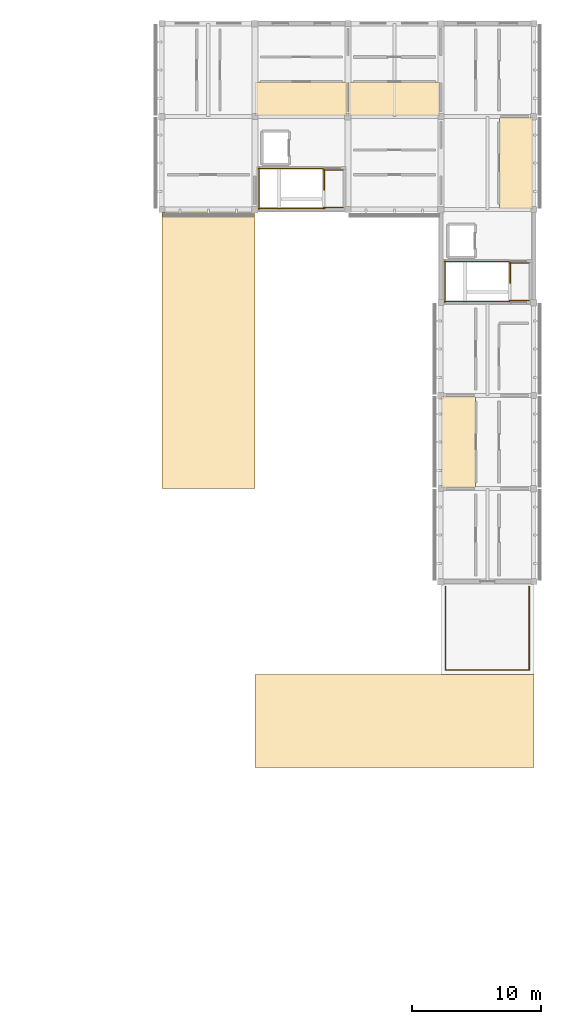
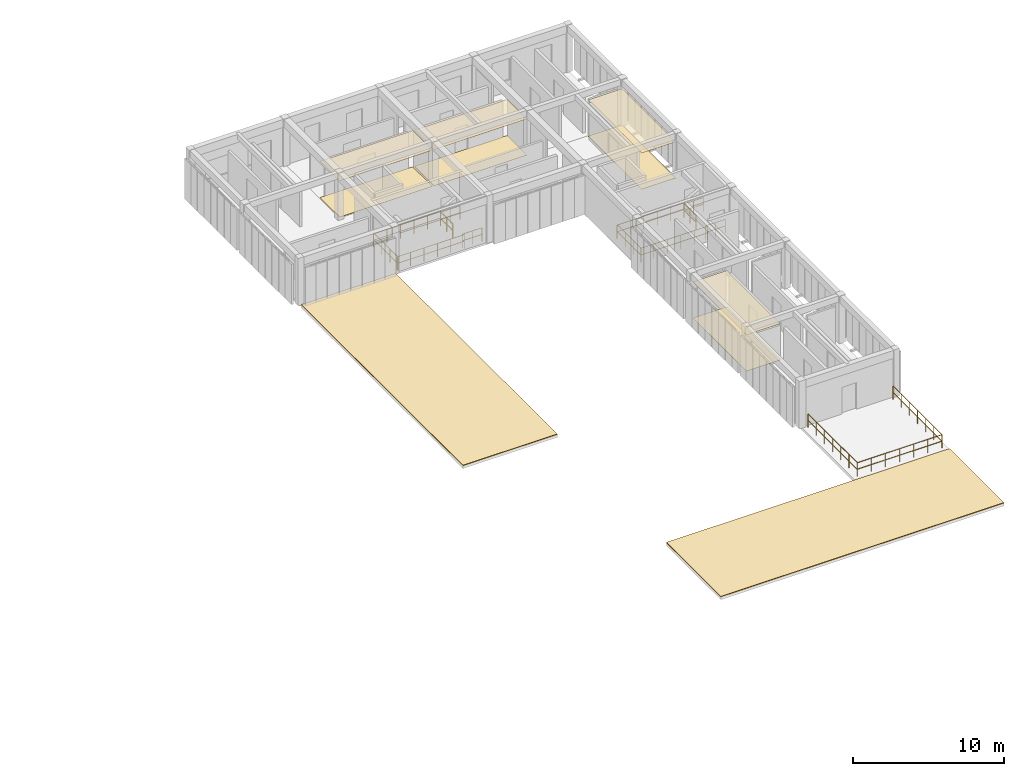
# One storey, part 33 of 33: 15 railings, 10 coverings.
"""IFC4 building model written with IfcOpenShell, lengths in metres."""

import ifcopenshell
import ifcopenshell.guid

model = None  # the IFC model being written
_history = None  # IfcOwnerHistory: only IFC2X3 demands one
_inside = {}  # id of a spatial element -> (the spatial element, [elements in it])
_under = {}  # id of a project, library or spatial element -> (it, [spatial elements below it])
_declared = {}  # id of a project -> (the project, [libraries it declares])
_typed = {}  # id of a type object -> (the type object, [elements of that type])
_made_of = {}  # id of a material, layer set ... -> (it, [elements and type objects made of it])


def new_model(schema):
    """Start an empty IFC model of exactly this schema.

    Asked for "IFC4X3", IfcOpenShell would pick the latest addendum, in which some entities
    have other attributes; the version numbers below select the first issue.
    IFC2X3 requires an IfcOwnerHistory on every rooted entity: one is made here for all.
    """
    global model, _history
    if schema == "IFC4X3":
        model = ifcopenshell.file(schema_version=(4, 3, 0, 0))
    else:
        model = ifcopenshell.file(schema=schema)
    _inside.clear()
    _under.clear()
    _declared.clear()
    _typed.clear()
    _made_of.clear()
    _history = None
    if model.schema == "IFC2X3":
        org = make("IfcOrganization", Name="unknown")
        user = make(
            "IfcPersonAndOrganization",
            ThePerson=make("IfcPerson", FamilyName="unknown"),
            TheOrganization=org,
        )
        app = make(
            "IfcApplication",
            ApplicationDeveloper=org,
            Version="unknown",
            ApplicationFullName="unknown",
            ApplicationIdentifier="unknown",
        )
        _history = make(
            "IfcOwnerHistory",
            OwningUser=user,
            OwningApplication=app,
            ChangeAction="ADDED",
            CreationDate=0,
        )
    return model


def make(cls, **values):
    """One entity of the class cls with the attributes given. An attribute that is None is left unset."""
    return model.create_entity(
        cls, **{name: value for name, value in values.items() if value is not None}
    )


def rooted(cls, **values):
    """An entity with a GlobalId (a new one), such as an element, a storey or a relation."""
    return make(cls, GlobalId=ifcopenshell.guid.new(), OwnerHistory=_history, **values)


def si_unit(unit_type, name, prefix=None):
    """IfcSIUnit, for example si_unit("LENGTHUNIT", "METRE", prefix="MILLI")."""
    return make("IfcSIUnit", UnitType=unit_type, Prefix=prefix, Name=name)


def assignment(units):
    """IfcUnitAssignment: the units of a project."""
    return None if units is None else make("IfcUnitAssignment", Units=units)


def point(xyz):
    """IfcCartesianPoint."""
    return None if xyz is None else make("IfcCartesianPoint", Coordinates=xyz)


def direction(xyz):
    """IfcDirection."""
    return None if xyz is None else make("IfcDirection", DirectionRatios=xyz)


def frame(location, z_axis=None, x_axis=None):
    """IfcAxis2Placement3D, a coordinate frame: its origin and axes. An axis left out is left unset."""
    return make(
        "IfcAxis2Placement3D",
        Location=point(location),
        Axis=direction(z_axis),
        RefDirection=direction(x_axis),
    )


def frame_2d(location, x_axis=None):
    """IfcAxis2Placement2D, a coordinate frame in the plane: its origin and x axis."""
    return make(
        "IfcAxis2Placement2D", Location=point(location), RefDirection=direction(x_axis)
    )


def origin():
    """The frame at (0, 0, 0) with its axes left unset."""
    return frame((0.0, 0.0, 0.0))


def origin_2d():
    """The frame at (0, 0) in the plane with its x axis left unset."""
    return frame_2d((0.0, 0.0))


def place(relative_to, where):
    """IfcLocalPlacement: puts the frame where relative to a parent placement (None: the world)."""
    return make(
        "IfcLocalPlacement", PlacementRelTo=relative_to, RelativePlacement=where
    )


def context(
    kind, dimensions, precision=None, world=None, true_north=None, identifier=None
):
    """IfcGeometricRepresentationContext, for example the 3D "Model" context."""
    return make(
        "IfcGeometricRepresentationContext",
        ContextIdentifier=identifier,
        ContextType=kind,
        CoordinateSpaceDimension=dimensions,
        Precision=precision,
        WorldCoordinateSystem=world,
        TrueNorth=true_north,
    )


def subcontext(parent, identifier, kind, view, scale=None):
    """IfcGeometricRepresentationSubContext, for example "Body" below "Model"."""
    return make(
        "IfcGeometricRepresentationSubContext",
        ContextIdentifier=identifier,
        ContextType=kind,
        ParentContext=parent,
        TargetScale=scale,
        TargetView=view,
    )


def project(units=None, contexts=None):
    """IfcProject with its units and contexts."""
    return rooted(
        "IfcProject",
        Name="project",
        RepresentationContexts=contexts,
        UnitsInContext=assignment(units),
    )


def spatial(cls, under=None, at=None, **own):
    """A site, building, storey or space (cls), placed at a placement, below another one or the project."""
    s = rooted(cls, ObjectPlacement=at, **own)
    if under is not None:
        _under.setdefault(under.id(), (under, []))[1].append(s)
    return s


def polyline(points):
    """IfcPolyline through the points."""
    return make("IfcPolyline", Points=[point(p) for p in points])


def profile(cls, at=None, kind="AREA", **sizes):
    """A parametric profile (cls). Its sizes go by their IFC names, for example OverallWidth=200.0."""
    return make(cls, ProfileType=kind, Position=at, **sizes)


def circle(**sizes):
    """IfcCircleProfileDef."""
    return profile("IfcCircleProfileDef", **sizes)


def outline(outer, holes=None, kind="AREA"):
    """IfcArbitraryClosedProfileDef: a profile drawn as a closed curve; with holes, ...WithVoids."""
    if holes is None:
        return make("IfcArbitraryClosedProfileDef", ProfileType=kind, OuterCurve=outer)
    return make(
        "IfcArbitraryProfileDefWithVoids",
        ProfileType=kind,
        OuterCurve=outer,
        InnerCurves=holes,
    )


def extrude(swept, where, along, depth):
    """IfcExtrudedAreaSolid: the profile swept, set in the frame where, extruded along a direction by depth."""
    return make(
        "IfcExtrudedAreaSolid",
        SweptArea=swept,
        Position=where,
        ExtrudedDirection=direction(along),
        Depth=depth,
    )


def shape(context_of_items, identifier, shape_type, items):
    """IfcShapeRepresentation: the items that make up one representation, for example the "Body"."""
    return make(
        "IfcShapeRepresentation",
        ContextOfItems=context_of_items,
        RepresentationIdentifier=identifier,
        RepresentationType=shape_type,
        Items=items,
    )


def material(Name=None, Category=None):
    """IfcMaterial."""
    return make("IfcMaterial", Name=Name, Category=Category)


def layer(
    of_material, thickness, ventilated=None, Name=None, Category=None, Priority=None
):
    """IfcMaterialLayer: one layer of a wall or slab, of a material (None: an air gap)."""
    return make(
        "IfcMaterialLayer",
        Material=of_material,
        LayerThickness=thickness,
        IsVentilated=ventilated,
        Name=Name,
        Category=Category,
        Priority=Priority,
    )


def layer_set(layers, Name=None):
    """IfcMaterialLayerSet."""
    return make("IfcMaterialLayerSet", MaterialLayers=layers, LayerSetName=Name)


def made_of(thing, what):
    """Note that an element or type object is made of a material, layer set ...; save() writes the relation."""
    if what is not None:
        _made_of.setdefault(what.id(), (what, []))[1].append(thing)
    return thing


def type_object(cls, material=None, **own):
    """A type object (cls), such as IfcWallType, which elements share."""
    return made_of(rooted(cls, **own), material)


def element(
    cls,
    number,
    at=None,
    inside=None,
    cuts=None,
    type_object=None,
    material=None,
    context=None,
    identifier="Body",
    shape_type=None,
    held_by="IfcProductDefinitionShape",
    body=None,
    shapes=None,
    **own,
):
    """One element of the class cls, such as IfcWall. Its Tag is "e" and its number.

    at: its placement. inside: the storey or other place that contains it. cuts: it is an
    opening in that element (IfcRelVoidsElement). A single representation is given by context,
    identifier, shape_type and body (its items); several are given by shapes. held_by: the class
    of the entity that holds the representations. save() writes the other relations.
    """
    e = rooted(cls, Tag="e%d" % number, ObjectPlacement=at, **own)
    if body is not None:
        shapes = [shape(context, identifier, shape_type, body)]
    if shapes is not None:
        e.Representation = make(held_by, Representations=shapes)
    if inside is not None:
        _inside.setdefault(inside.id(), (inside, []))[1].append(e)
    if cuts is not None:
        rooted(
            "IfcRelVoidsElement", RelatingBuildingElement=cuts, RelatedOpeningElement=e
        )
    if type_object is not None:
        _typed.setdefault(type_object.id(), (type_object, []))[1].append(e)
    return made_of(e, material)


def aggregate(whole, parts):
    """IfcRelAggregates: a whole, such as a stair, and the parts it consists of."""
    return rooted("IfcRelAggregates", RelatingObject=whole, RelatedObjects=parts)


def save(model, path):
    """Write the relations noted so far, then the file.

    IfcRelAggregates (storeys below a building ...), IfcRelContainedInSpatialStructure (elements
    in a storey), IfcRelDefinesByType, IfcRelAssociatesMaterial and IfcRelDeclares: one each for
    every whole, place, type object, material and project.
    """
    for whole, parts in _under.values():
        aggregate(whole, parts)
    for where, things in _inside.values():
        rooted(
            "IfcRelContainedInSpatialStructure",
            RelatedElements=things,
            RelatingStructure=where,
        )
    for kind, things in _typed.values():
        rooted("IfcRelDefinesByType", RelatedObjects=things, RelatingType=kind)
    for what, things in _made_of.values():
        rooted("IfcRelAssociatesMaterial", RelatedObjects=things, RelatingMaterial=what)
    for by, libraries in _declared.values():
        rooted("IfcRelDeclares", RelatingContext=by, RelatedDefinitions=libraries)
    model.write(path)


model = new_model("IFC4")

# Units and contexts
model_context = context("Model", 3, precision=1e-05, world=origin(), true_north=direction((0.0, 1.0)))
body_context = subcontext(model_context, "Body", "Model", "MODEL_VIEW")
ifc_project = project(units=[si_unit("LENGTHUNIT", "METRE"), si_unit("AREAUNIT", "SQUARE_METRE"), si_unit("VOLUMEUNIT", "CUBIC_METRE"), si_unit("PLANEANGLEUNIT", "RADIAN"), si_unit("MASSUNIT", "GRAM", prefix="KILO")], contexts=[model_context])

# Site, building, storey
site_placement = place(None, origin())
site = spatial("IfcSite", under=ifc_project, at=site_placement, CompositionType="ELEMENT")
building_placement = place(site_placement, origin())
building = spatial("IfcBuilding", under=site, at=building_placement, Name="Aldebral Square Health Centre", CompositionType="ELEMENT")
storey_placement = place(building_placement, frame((0.0, 0.0, 17.550048828125)))
storey = spatial("IfcBuildingStorey", under=building, at=storey_placement, Name="L04", CompositionType="ELEMENT", Elevation=17.550048828125)

# Coverings
ifc_material_1 = material(Name="Hygienic acoustic mineral ceiling tile")
ifc_layer_1 = layer(ifc_material_1, 0.02001953125, Name="Hygienic acoustic mineral ceiling tile")
ifc_layer_set_1 = layer_set([ifc_layer_1], Name="Hygienic acoustic mineral ceiling tile")
covering_type_1 = type_object("IfcCoveringType", Name="COV-CLG-AC", PredefinedType="CEILING", material=ifc_layer_set_1)
covering_1_placement = place(storey_placement, frame((0.0, 0.0, 2.919921875)))
element("IfcCovering", 1, at=covering_1_placement, inside=storey, type_object=covering_type_1, Name="L04 Psychiatric Consultation Suite 21.16S acoustic ceiling", PredefinedType="CEILING", context=body_context, shape_type="SweptSolid", body=[
    extrude(outline(polyline([(144.06005859375, 108.06005859375), (151.139892578125, 108.06005859375), (151.139892578125, 110.679931640625), (144.06005859375, 110.679931640625), (144.06005859375, 108.06005859375)])), origin(), (0.0, 0.0, 1.0), 0.02001953125),
])
covering_2_placement = place(storey_placement, frame((0.0, 0.0, 2.919921875)))
element("IfcCovering", 2, at=covering_2_placement, inside=storey, type_object=covering_type_1, Name="L04 Group Psychotherapy Suite 22.16S acoustic ceiling", PredefinedType="CEILING", context=body_context, shape_type="SweptSolid", body=[
    extrude(outline(polyline([(151.260009765625, 108.06005859375), (158.340087890625, 108.06005859375), (158.340087890625, 110.679931640625), (151.260009765625, 110.679931640625), (151.260009765625, 108.06005859375)])), origin(), (0.0, 0.0, 1.0), 0.02001953125),
])
covering_3_placement = place(storey_placement, frame((0.0, 0.0, 2.919921875)))
element("IfcCovering", 3, at=covering_3_placement, inside=storey, type_object=covering_type_1, Name="L04 Accessible WC 23.12W acoustic ceiling", PredefinedType="CEILING", context=body_context, shape_type="SweptSolid", body=[
    extrude(outline(polyline([(158.4599609375, 79.260009765625), (161.06005859375, 79.260009765625), (161.06005859375, 86.340087890625), (158.4599609375, 86.340087890625), (158.4599609375, 79.260009765625)])), origin(), (0.0, 0.0, 1.0), 0.02001953125),
])
covering_4_placement = place(storey_placement, frame((0.0, 0.0, 2.919921875)))
element("IfcCovering", 4, at=covering_4_placement, inside=storey, type_object=covering_type_1, Name="L04 Psychiatric Consultation Suite 23.15E acoustic ceiling", PredefinedType="CEILING", context=body_context, shape_type="SweptSolid", body=[
    extrude(outline(polyline([(162.93994140625, 100.860107421875), (165.5400390625, 100.860107421875), (165.5400390625, 107.93994140625), (162.93994140625, 107.93994140625), (162.93994140625, 100.860107421875)])), origin(), (0.0, 0.0, 1.0), 0.02001953125),
])
ifc_material_2 = material(Name="Antimicrobial clinical vinyl flooring")
ifc_layer_2 = layer(ifc_material_2, 0.014892578125, Name="Antimicrobial clinical vinyl flooring")
ifc_layer_set_2 = layer_set([ifc_layer_2], Name="Antimicrobial clinical vinyl flooring")
covering_type_2 = type_object("IfcCoveringType", Name="COV-FLR-VN", PredefinedType="FLOORING", material=ifc_layer_set_2)
covering_5_placement = place(storey_placement, origin())
element("IfcCovering", 5, at=covering_5_placement, inside=storey, type_object=covering_type_2, Name="L04 Psychiatric Consultation Suite 21.16S clinical flooring", PredefinedType="FLOORING", context=body_context, shape_type="SweptSolid", body=[
    extrude(outline(polyline([(144.06005859375, 108.06005859375), (151.139892578125, 108.06005859375), (151.139892578125, 110.679931640625), (144.06005859375, 110.679931640625), (144.06005859375, 108.06005859375)])), origin(), (0.0, 0.0, 1.0), 0.014892578125),
])
covering_6_placement = place(storey_placement, origin())
element("IfcCovering", 6, at=covering_6_placement, inside=storey, type_object=covering_type_2, Name="L04 Group Psychotherapy Suite 22.16S clinical flooring", PredefinedType="FLOORING", context=body_context, shape_type="SweptSolid", body=[
    extrude(outline(polyline([(151.260009765625, 108.06005859375), (158.340087890625, 108.06005859375), (158.340087890625, 110.679931640625), (151.260009765625, 110.679931640625), (151.260009765625, 108.06005859375)])), origin(), (0.0, 0.0, 1.0), 0.014892578125),
])
covering_7_placement = place(storey_placement, origin())
element("IfcCovering", 7, at=covering_7_placement, inside=storey, type_object=covering_type_2, Name="L04 Accessible WC 23.12W clinical flooring", PredefinedType="FLOORING", context=body_context, shape_type="SweptSolid", body=[
    extrude(outline(polyline([(158.4599609375, 79.260009765625), (161.06005859375, 79.260009765625), (161.06005859375, 86.340087890625), (158.4599609375, 86.340087890625), (158.4599609375, 79.260009765625)])), origin(), (0.0, 0.0, 1.0), 0.014892578125),
])
covering_8_placement = place(storey_placement, origin())
element("IfcCovering", 8, at=covering_8_placement, inside=storey, type_object=covering_type_2, Name="L04 Psychiatric Consultation Suite 23.15E clinical flooring", PredefinedType="FLOORING", context=body_context, shape_type="SweptSolid", body=[
    extrude(outline(polyline([(162.93994140625, 100.860107421875), (165.5400390625, 100.860107421875), (165.5400390625, 107.93994140625), (162.93994140625, 107.93994140625), (162.93994140625, 100.860107421875)])), origin(), (0.0, 0.0, 1.0), 0.014892578125),
])
ifc_material_3 = material(Name="Reflective insulated membrane roofing")
ifc_layer_3 = layer(ifc_material_3, 0.050048828125, Name="Reflective insulated membrane roofing")
ifc_layer_set_3 = layer_set([ifc_layer_3], Name="Reflective insulated membrane roofing")
covering_type_3 = type_object("IfcCoveringType", Name="COV-RF-50", PredefinedType="ROOFING", material=ifc_layer_set_3)
covering_9_placement = place(storey_placement, origin())
element("IfcCovering", 9, at=covering_9_placement, inside=storey, type_object=covering_type_3, Name="L03 V5 roof slab 1 insulated roof membrane", PredefinedType="ROOFING", context=body_context, shape_type="SweptSolid", body=[
    extrude(outline(polyline([(151.199951171875, 64.800048828125), (158.39990234375, 64.800048828125), (165.60009765625, 64.800048828125), (165.60009765625, 57.60009765625), (158.39990234375, 57.60009765625), (151.199951171875, 57.60009765625), (144.0, 57.60009765625), (144.0, 64.800048828125), (151.199951171875, 64.800048828125)])), origin(), (0.0, 0.0, 1.0), 0.050048828125),
])
covering_10_placement = place(storey_placement, origin())
element("IfcCovering", 10, at=covering_10_placement, inside=storey, type_object=covering_type_3, Name="L03 V5 roof slab 2 insulated roof membrane", PredefinedType="ROOFING", context=body_context, shape_type="SweptSolid", body=[
    extrude(outline(polyline([(136.800048828125, 86.39990234375), (136.800048828125, 93.60009765625), (136.800048828125, 100.580078125), (144.0, 100.580078125), (144.0, 93.60009765625), (144.0, 86.39990234375), (144.0, 79.199951171875), (136.800048828125, 79.199951171875), (136.800048828125, 86.39990234375)])), origin(), (0.0, 0.0, 1.0), 0.050048828125),
])

# Railings
ifc_material_4 = material(Name="Cream cantera and steel balustrade", Category="steel")
railing_type_1 = type_object("IfcRailingType", Name="RL-EXT-BAL", PredefinedType="BALUSTRADE", material=ifc_material_4)
railing_1_placement = place(storey_placement, frame((158.760009765625, 65.159912109375, 0.0)))
element("IfcRailing", 11, at=railing_1_placement, inside=storey, type_object=railing_type_1, Name="L04 Mental Health Healing Terrace perimeter guard 2", PredefinedType="BALUSTRADE", context=body_context, shape_type="SweptSolid", body=[
    extrude(circle(Radius=0.02392578125, at=origin_2d()), frame((0.0, 0.0, 1.09619140625), z_axis=(0.0, 1.0, 0.0), x_axis=(-1.0, 0.0, 0.0)), (0.0, 0.0, 1.0), 6.47998046875),
    extrude(circle(Radius=0.02392578125, at=origin_2d()), frame((0.0, 0.0, 0.56005859375), z_axis=(0.0, 1.0, 0.0), x_axis=(-1.0, 0.0, 0.0)), (0.0, 0.0, 1.0), 6.47998046875),
    extrude(circle(Radius=0.02099609375, at=origin_2d()), origin(), (0.0, 0.0, 1.0), 1.072021484375),
    extrude(circle(Radius=0.02099609375, at=origin_2d()), frame((0.0, 1.080078125, 0.0)), (0.0, 0.0, 1.0), 1.072021484375),
    extrude(circle(Radius=0.02099609375, at=origin_2d()), frame((0.0, 2.159912109375, 0.0)), (0.0, 0.0, 1.0), 1.072021484375),
    extrude(circle(Radius=0.02099609375, at=origin_2d()), frame((0.0, 3.239990234375, 0.0)), (0.0, 0.0, 1.0), 1.072021484375),
    extrude(circle(Radius=0.02099609375, at=origin_2d()), frame((0.0, 4.320068359375, 0.0)), (0.0, 0.0, 1.0), 1.072021484375),
    extrude(circle(Radius=0.02099609375, at=origin_2d()), frame((0.0, 5.39990234375, 0.0)), (0.0, 0.0, 1.0), 1.072021484375),
    extrude(circle(Radius=0.02099609375, at=origin_2d()), frame((0.0, 6.47998046875, 0.0)), (0.0, 0.0, 1.0), 1.072021484375),
])
ifc_material_5 = material(Name="Painted steel S355JR guard", Category="steel")
railing_type_2 = type_object("IfcRailingType", Name="RL-EXT-GRD", PredefinedType="GUARDRAIL", material=ifc_material_5)
railing_2_placement = place(storey_placement, frame((158.760009765625, 65.159912109375, 0.0)))
element("IfcRailing", 12, at=railing_2_placement, inside=storey, type_object=railing_type_2, Name="L04 Mental Health Healing Terrace perimeter guard 1", PredefinedType="GUARDRAIL", context=body_context, shape_type="SweptSolid", body=[
    extrude(circle(Radius=0.02392578125, at=origin_2d()), frame((0.0, 0.0, 1.076171875), z_axis=(1.0, 0.0, 0.0), x_axis=(0.0, 1.0, 0.0)), (0.0, 0.0, 1.0), 6.47998046875),
    extrude(circle(Radius=0.02392578125, at=origin_2d()), frame((0.0, 0.0, 0.550048828125), z_axis=(1.0, 0.0, 0.0), x_axis=(0.0, 1.0, 0.0)), (0.0, 0.0, 1.0), 6.47998046875),
    extrude(circle(Radius=0.02099609375, at=origin_2d()), origin(), (0.0, 0.0, 1.0), 1.052001953125),
    extrude(circle(Radius=0.02099609375, at=origin_2d()), frame((1.080078125, 0.0, 0.0)), (0.0, 0.0, 1.0), 1.052001953125),
    extrude(circle(Radius=0.02099609375, at=origin_2d()), frame((2.159912109375, 0.0, 0.0)), (0.0, 0.0, 1.0), 1.052001953125),
    extrude(circle(Radius=0.02099609375, at=origin_2d()), frame((3.239990234375, 0.0, 0.0)), (0.0, 0.0, 1.0), 1.052001953125),
    extrude(circle(Radius=0.02099609375, at=origin_2d()), frame((4.320068359375, 0.0, 0.0)), (0.0, 0.0, 1.0), 1.052001953125),
    extrude(circle(Radius=0.02099609375, at=origin_2d()), frame((5.39990234375, 0.0, 0.0)), (0.0, 0.0, 1.0), 1.052001953125),
    extrude(circle(Radius=0.02099609375, at=origin_2d()), frame((6.47998046875, 0.0, 0.0)), (0.0, 0.0, 1.0), 1.052001953125),
])
railing_3_placement = place(storey_placement, frame((165.239990234375, 65.159912109375, 0.0)))
element("IfcRailing", 13, at=railing_3_placement, inside=storey, type_object=railing_type_2, Name="L04 Mental Health Healing Terrace perimeter guard 3", PredefinedType="GUARDRAIL", context=body_context, shape_type="SweptSolid", body=[
    extrude(circle(Radius=0.02392578125, at=origin_2d()), frame((0.0, 0.0, 1.076171875), z_axis=(0.0, 1.0, 0.0), x_axis=(-1.0, 0.0, 0.0)), (0.0, 0.0, 1.0), 6.47998046875),
    extrude(circle(Radius=0.02392578125, at=origin_2d()), frame((0.0, 0.0, 0.550048828125), z_axis=(0.0, 1.0, 0.0), x_axis=(-1.0, 0.0, 0.0)), (0.0, 0.0, 1.0), 6.47998046875),
    extrude(circle(Radius=0.02099609375, at=origin_2d()), origin(), (0.0, 0.0, 1.0), 1.052001953125),
    extrude(circle(Radius=0.02099609375, at=origin_2d()), frame((0.0, 1.080078125, 0.0)), (0.0, 0.0, 1.0), 1.052001953125),
    extrude(circle(Radius=0.02099609375, at=origin_2d()), frame((0.0, 2.159912109375, 0.0)), (0.0, 0.0, 1.0), 1.052001953125),
    extrude(circle(Radius=0.02099609375, at=origin_2d()), frame((0.0, 3.239990234375, 0.0)), (0.0, 0.0, 1.0), 1.052001953125),
    extrude(circle(Radius=0.02099609375, at=origin_2d()), frame((0.0, 4.320068359375, 0.0)), (0.0, 0.0, 1.0), 1.052001953125),
    extrude(circle(Radius=0.02099609375, at=origin_2d()), frame((0.0, 5.39990234375, 0.0)), (0.0, 0.0, 1.0), 1.052001953125),
    extrude(circle(Radius=0.02099609375, at=origin_2d()), frame((0.0, 6.47998046875, 0.0)), (0.0, 0.0, 1.0), 1.052001953125),
])
ifc_material_6 = material(Name="Painted steel S355JR stair guard", Category="steel")
railing_type_3 = type_object("IfcRailingType", Name="RL-ST-GRD", PredefinedType="GUARDRAIL", material=ifc_material_6)
railing_4_placement = place(storey_placement, frame((163.77001953125, 96.719970703125, 0.0)))
element("IfcRailing", 14, at=railing_4_placement, inside=storey, type_object=railing_type_3, Name="L04 ST-03 top well guard 1", PredefinedType="GUARDRAIL", context=body_context, shape_type="SweptSolid", body=[
    extrude(circle(Radius=0.02392578125, at=origin_2d()), frame((0.0, 0.0, 1.09619140625), z_axis=(0.0, -1.0, 0.0), x_axis=(1.0, 0.0, 0.0)), (0.0, 0.0, 1.0), 1.599853515625),
    extrude(circle(Radius=0.02392578125, at=origin_2d()), frame((0.0, 0.0, 0.56005859375), z_axis=(0.0, -1.0, 0.0), x_axis=(1.0, 0.0, 0.0)), (0.0, 0.0, 1.0), 1.599853515625),
    extrude(circle(Radius=0.02099609375, at=origin_2d()), origin(), (0.0, 0.0, 1.0), 1.072021484375),
    extrude(circle(Radius=0.02099609375, at=origin_2d()), frame((0.0, -0.7998046875, 0.0)), (0.0, 0.0, 1.0), 1.072021484375),
    extrude(circle(Radius=0.02099609375, at=origin_2d()), frame((0.0, -1.599853515625, 0.0)), (0.0, 0.0, 1.0), 1.072021484375),
])
for number, where, name in (
    (15, (163.820068359375, 96.77001953125, 0.0), "L04 ST-03 top well guard 2"),
    (16, (163.820068359375, 93.669921875, 0.0), "L04 ST-03 top well guard 3"),
):
    element("IfcRailing", number, at=place(storey_placement, frame(where)), inside=storey, type_object=railing_type_3, Name=name, PredefinedType="GUARDRAIL", context=body_context, shape_type="SweptSolid", body=[
        extrude(circle(Radius=0.02392578125, at=origin_2d()), frame((0.0, 0.0, 1.09619140625), z_axis=(-1.0, 0.0, 0.0), x_axis=(0.0, -1.0, 0.0)), (0.0, 0.0, 1.0), 5.14013671875),
        extrude(circle(Radius=0.02392578125, at=origin_2d()), frame((0.0, 0.0, 0.56005859375), z_axis=(-1.0, 0.0, 0.0), x_axis=(0.0, -1.0, 0.0)), (0.0, 0.0, 1.0), 5.14013671875),
        extrude(circle(Radius=0.02099609375, at=origin_2d()), origin(), (0.0, 0.0, 1.0), 1.072021484375),
        extrude(circle(Radius=0.02099609375, at=origin_2d()), frame((-1.028076171875, 0.0, 0.0)), (0.0, 0.0, 1.0), 1.072021484375),
        extrude(circle(Radius=0.02099609375, at=origin_2d()), frame((-2.05615234375, 0.0, 0.0)), (0.0, 0.0, 1.0), 1.072021484375),
        extrude(circle(Radius=0.02099609375, at=origin_2d()), frame((-3.083984375, 0.0, 0.0)), (0.0, 0.0, 1.0), 1.072021484375),
        extrude(circle(Radius=0.02099609375, at=origin_2d()), frame((-4.112060546875, 0.0, 0.0)), (0.0, 0.0, 1.0), 1.072021484375),
        extrude(circle(Radius=0.02099609375, at=origin_2d()), frame((-5.14013671875, 0.0, 0.0)), (0.0, 0.0, 1.0), 1.072021484375),
    ])
railing_5_placement = place(storey_placement, frame((158.72998046875, 96.820068359375, 0.0)))
element("IfcRailing", 17, at=railing_5_placement, inside=storey, type_object=railing_type_3, Name="L04 ST-03 top well guard 4", PredefinedType="GUARDRAIL", context=body_context, shape_type="SweptSolid", body=[
    extrude(circle(Radius=0.02392578125, at=origin_2d()), frame((0.0, 0.0, 1.09619140625), z_axis=(0.0, -1.0, 0.0), x_axis=(1.0, 0.0, 0.0)), (0.0, 0.0, 1.0), 3.199951171875),
    extrude(circle(Radius=0.02392578125, at=origin_2d()), frame((0.0, 0.0, 0.56005859375), z_axis=(0.0, -1.0, 0.0), x_axis=(1.0, 0.0, 0.0)), (0.0, 0.0, 1.0), 3.199951171875),
    extrude(circle(Radius=0.02099609375, at=origin_2d()), origin(), (0.0, 0.0, 1.0), 1.072021484375),
    extrude(circle(Radius=0.02099609375, at=origin_2d()), frame((0.0, -1.066650390625, 0.0)), (0.0, 0.0, 1.0), 1.072021484375),
    extrude(circle(Radius=0.02099609375, at=origin_2d()), frame((0.0, -2.13330078125, 0.0)), (0.0, 0.0, 1.0), 1.072021484375),
    extrude(circle(Radius=0.02099609375, at=origin_2d()), frame((0.0, -3.199951171875, 0.0)), (0.0, 0.0, 1.0), 1.072021484375),
])
for number, where, name in (
    (18, (165.219970703125, 96.669921875, 0.0), "L04 ST-03 top well guard 5"),
    (19, (165.219970703125, 93.77001953125, 0.0), "L04 ST-03 top well guard 6"),
):
    element("IfcRailing", number, at=place(storey_placement, frame(where)), inside=storey, type_object=railing_type_3, Name=name, PredefinedType="GUARDRAIL", context=body_context, shape_type="SweptSolid", body=[
        extrude(circle(Radius=0.02392578125, at=origin_2d()), frame((0.0, 0.0, 1.09619140625), z_axis=(-1.0, 0.0, 0.0), x_axis=(0.0, -1.0, 0.0)), (0.0, 0.0, 1.0), 1.5),
        extrude(circle(Radius=0.02392578125, at=origin_2d()), frame((0.0, 0.0, 0.56005859375), z_axis=(-1.0, 0.0, 0.0), x_axis=(0.0, -1.0, 0.0)), (0.0, 0.0, 1.0), 1.5),
        extrude(circle(Radius=0.02099609375, at=origin_2d()), origin(), (0.0, 0.0, 1.0), 1.072021484375),
        extrude(circle(Radius=0.02099609375, at=origin_2d()), frame((-0.75, 0.0, 0.0)), (0.0, 0.0, 1.0), 1.072021484375),
        extrude(circle(Radius=0.02099609375, at=origin_2d()), frame((-1.5, 0.0, 0.0)), (0.0, 0.0, 1.0), 1.072021484375),
    ])
railing_6_placement = place(storey_placement, frame((149.3701171875, 103.919921875, 0.0)))
element("IfcRailing", 20, at=railing_6_placement, inside=storey, type_object=railing_type_3, Name="L04 ST-04 top well guard 1", PredefinedType="GUARDRAIL", context=body_context, shape_type="SweptSolid", body=[
    extrude(circle(Radius=0.02392578125, at=origin_2d()), frame((0.0, 0.0, 1.09619140625), z_axis=(0.0, -1.0, 0.0), x_axis=(1.0, 0.0, 0.0)), (0.0, 0.0, 1.0), 1.599853515625),
    extrude(circle(Radius=0.02392578125, at=origin_2d()), frame((0.0, 0.0, 0.56005859375), z_axis=(0.0, -1.0, 0.0), x_axis=(1.0, 0.0, 0.0)), (0.0, 0.0, 1.0), 1.599853515625),
    extrude(circle(Radius=0.02099609375, at=origin_2d()), origin(), (0.0, 0.0, 1.0), 1.072021484375),
    extrude(circle(Radius=0.02099609375, at=origin_2d()), frame((0.0, -0.7998046875, 0.0)), (0.0, 0.0, 1.0), 1.072021484375),
    extrude(circle(Radius=0.02099609375, at=origin_2d()), frame((0.0, -1.599853515625, 0.0)), (0.0, 0.0, 1.0), 1.072021484375),
])
for number, where, name in (
    (21, (149.419921875, 103.969970703125, 0.0), "L04 ST-04 top well guard 2"),
    (22, (149.419921875, 100.8701171875, 0.0), "L04 ST-04 top well guard 3"),
):
    element("IfcRailing", number, at=place(storey_placement, frame(where)), inside=storey, type_object=railing_type_3, Name=name, PredefinedType="GUARDRAIL", context=body_context, shape_type="SweptSolid", body=[
        extrude(circle(Radius=0.02392578125, at=origin_2d()), frame((0.0, 0.0, 1.09619140625), z_axis=(-1.0, 0.0, 0.0), x_axis=(0.0, -1.0, 0.0)), (0.0, 0.0, 1.0), 5.139892578125),
        extrude(circle(Radius=0.02392578125, at=origin_2d()), frame((0.0, 0.0, 0.56005859375), z_axis=(-1.0, 0.0, 0.0), x_axis=(0.0, -1.0, 0.0)), (0.0, 0.0, 1.0), 5.139892578125),
        extrude(circle(Radius=0.02099609375, at=origin_2d()), origin(), (0.0, 0.0, 1.0), 1.072021484375),
        extrude(circle(Radius=0.02099609375, at=origin_2d()), frame((-1.028076171875, 0.0, 0.0)), (0.0, 0.0, 1.0), 1.072021484375),
        extrude(circle(Radius=0.02099609375, at=origin_2d()), frame((-2.055908203125, 0.0, 0.0)), (0.0, 0.0, 1.0), 1.072021484375),
        extrude(circle(Radius=0.02099609375, at=origin_2d()), frame((-3.083984375, 0.0, 0.0)), (0.0, 0.0, 1.0), 1.072021484375),
        extrude(circle(Radius=0.02099609375, at=origin_2d()), frame((-4.11181640625, 0.0, 0.0)), (0.0, 0.0, 1.0), 1.072021484375),
        extrude(circle(Radius=0.02099609375, at=origin_2d()), frame((-5.139892578125, 0.0, 0.0)), (0.0, 0.0, 1.0), 1.072021484375),
    ])
railing_7_placement = place(storey_placement, frame((144.330078125, 104.02001953125, 0.0)))
element("IfcRailing", 23, at=railing_7_placement, inside=storey, type_object=railing_type_3, Name="L04 ST-04 top well guard 4", PredefinedType="GUARDRAIL", context=body_context, shape_type="SweptSolid", body=[
    extrude(circle(Radius=0.02392578125, at=origin_2d()), frame((0.0, 0.0, 1.09619140625), z_axis=(0.0, -1.0, 0.0), x_axis=(1.0, 0.0, 0.0)), (0.0, 0.0, 1.0), 3.199951171875),
    extrude(circle(Radius=0.02392578125, at=origin_2d()), frame((0.0, 0.0, 0.56005859375), z_axis=(0.0, -1.0, 0.0), x_axis=(1.0, 0.0, 0.0)), (0.0, 0.0, 1.0), 3.199951171875),
    extrude(circle(Radius=0.02099609375, at=origin_2d()), origin(), (0.0, 0.0, 1.0), 1.072021484375),
    extrude(circle(Radius=0.02099609375, at=origin_2d()), frame((0.0, -1.066650390625, 0.0)), (0.0, 0.0, 1.0), 1.072021484375),
    extrude(circle(Radius=0.02099609375, at=origin_2d()), frame((0.0, -2.13330078125, 0.0)), (0.0, 0.0, 1.0), 1.072021484375),
    extrude(circle(Radius=0.02099609375, at=origin_2d()), frame((0.0, -3.199951171875, 0.0)), (0.0, 0.0, 1.0), 1.072021484375),
])
for number, where, name in (
    (24, (150.820068359375, 103.8701171875, 0.0), "L04 ST-04 top well guard 5"),
    (25, (150.820068359375, 100.969970703125, 0.0), "L04 ST-04 top well guard 6"),
):
    element("IfcRailing", number, at=place(storey_placement, frame(where)), inside=storey, type_object=railing_type_3, Name=name, PredefinedType="GUARDRAIL", context=body_context, shape_type="SweptSolid", body=[
        extrude(circle(Radius=0.02392578125, at=origin_2d()), frame((0.0, 0.0, 1.09619140625), z_axis=(-1.0, 0.0, 0.0), x_axis=(0.0, -1.0, 0.0)), (0.0, 0.0, 1.0), 1.5),
        extrude(circle(Radius=0.02392578125, at=origin_2d()), frame((0.0, 0.0, 0.56005859375), z_axis=(-1.0, 0.0, 0.0), x_axis=(0.0, -1.0, 0.0)), (0.0, 0.0, 1.0), 1.5),
        extrude(circle(Radius=0.02099609375, at=origin_2d()), origin(), (0.0, 0.0, 1.0), 1.072021484375),
        extrude(circle(Radius=0.02099609375, at=origin_2d()), frame((-0.75, 0.0, 0.0)), (0.0, 0.0, 1.0), 1.072021484375),
        extrude(circle(Radius=0.02099609375, at=origin_2d()), frame((-1.5, 0.0, 0.0)), (0.0, 0.0, 1.0), 1.072021484375),
    ])

save(model, "model.ifc")
